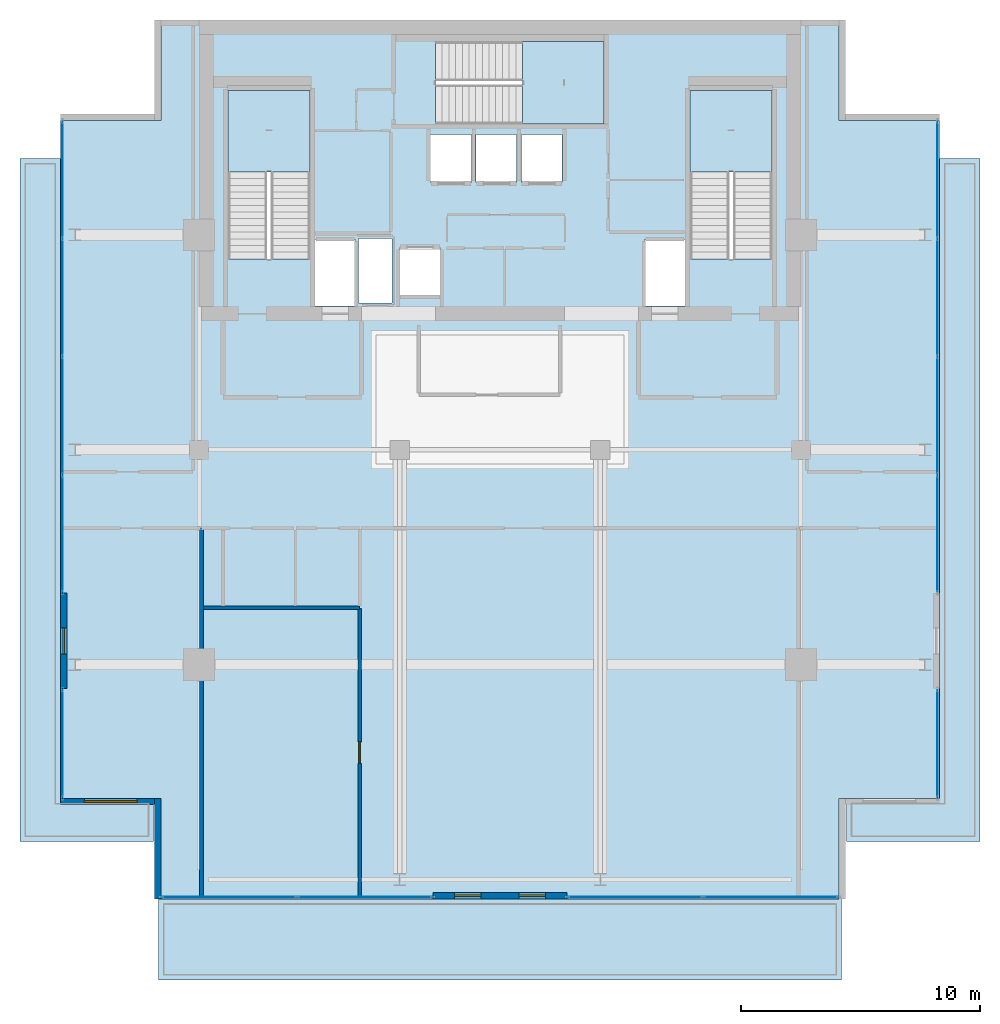
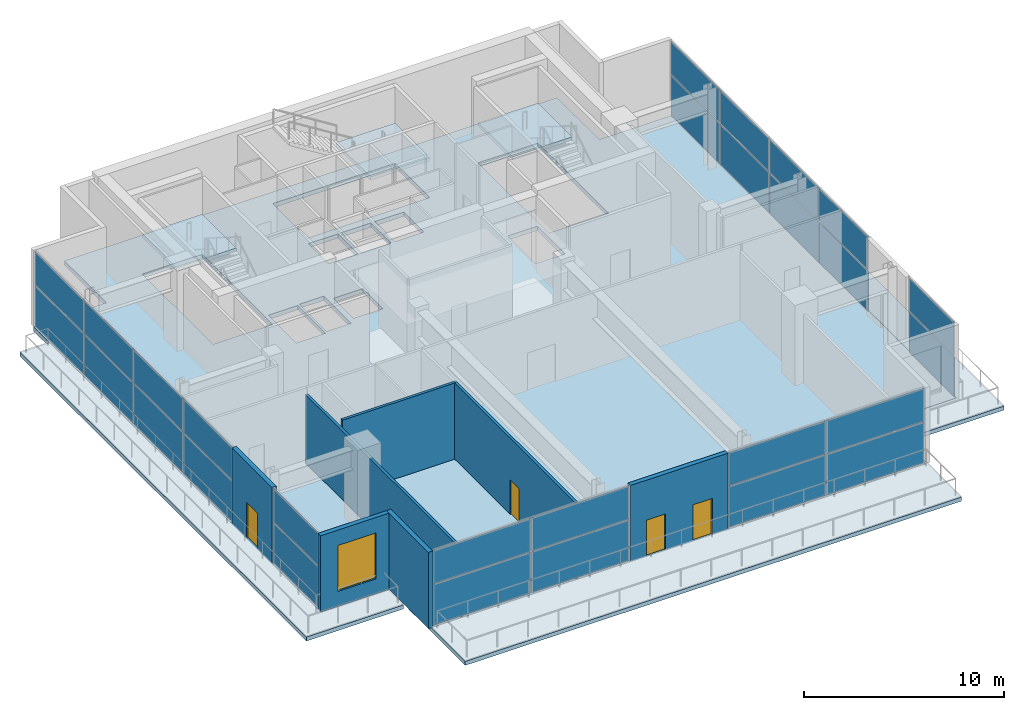
# One storey, part 15 of 22: 28 plates, 7 slabs, 7 walls, 4 doors, 1 window, 5 openings, 9 elements without a shape of their own.
"""IFC4 building model written with IfcOpenShell, lengths in metres."""

from ifc_helpers import new_model, si_unit, direction, frame, frame_2d, origin, origin_2d, place, context, subcontext, project, spatial, polyline, rectangle, outline, extrude, material, layer, layer_set, type_object, element, fill, aggregate, save


model = new_model("IFC4")

# Units and contexts
model_context = context("Model", 3, precision=1e-05, world=origin(), true_north=direction((0.0, 1.0)))
body_context = subcontext(model_context, "Body", "Model", "MODEL_VIEW")
ifc_project = project(units=[si_unit("LENGTHUNIT", "METRE"), si_unit("AREAUNIT", "SQUARE_METRE"), si_unit("VOLUMEUNIT", "CUBIC_METRE"), si_unit("PLANEANGLEUNIT", "RADIAN"), si_unit("MASSUNIT", "GRAM", prefix="KILO")], contexts=[model_context])

# Site, building, storey
site_placement = place(None, origin())
site = spatial("IfcSite", under=ifc_project, at=site_placement, CompositionType="ELEMENT")
building_placement = place(site_placement, origin())
building = spatial("IfcBuilding", under=site, at=building_placement, Name="Maruvema Waterfront Hotel and Observation Tower", CompositionType="ELEMENT")
storey_placement = place(building_placement, frame((0.0, 0.0, 354.199951171875)))
storey = spatial("IfcBuildingStorey", under=building, at=storey_placement, Name="L87", CompositionType="ELEMENT", Elevation=354.199951171875)

# Slabs
ifc_material_1 = material(Name="Concrete C50/60", Category="concrete")
ifc_layer_1 = layer(ifc_material_1, 0.239990234375, Name="Outdoor Setback Terrace Deck Slab 240 mm")
ifc_layer_set_1 = layer_set([ifc_layer_1], Name="Concrete C50/60")
slab_type_1 = type_object("IfcSlabType", Name="Outdoor Setback Terrace Deck Slab 240 mm", PredefinedType="FLOOR", material=ifc_layer_set_1)
slab_1_placement = place(storey_placement, frame((0.0, 0.0, -0.239990234375)))
element("IfcSlab", 1, at=slab_1_placement, inside=storey, type_object=slab_type_1, Name="L87 Outdoor Setback Terrace Deck 1", PredefinedType="FLOOR", context=body_context, shape_type="SweptSolid", body=[
    extrude(outline(polyline([(17.699951171875, 48.199951171875), (19.39990234375, 48.199951171875), (19.39990234375, 21.39990234375), (23.300048828125, 21.39990234375), (23.300048828125, 19.60009765625), (17.699951171875, 19.60009765625), (17.699951171875, 48.199951171875)])), origin(), (0.0, 0.0, 1.0), 0.239990234375),
])
slab_2_placement = place(storey_placement, frame((0.0, 0.0, -0.239990234375)))
element("IfcSlab", 2, at=slab_2_placement, inside=storey, type_object=slab_type_1, Name="L87 Outdoor Setback Terrace Deck 2", PredefinedType="FLOOR", context=body_context, shape_type="SweptSolid", body=[
    extrude(outline(polyline([(52.10009765625, 13.800048828125), (23.5, 13.800048828125), (23.5, 19.449951171875), (23.60009765625, 19.449951171875), (23.60009765625, 17.199951171875), (52.0, 17.199951171875), (52.0, 19.449951171875), (52.10009765625, 19.449951171875), (52.10009765625, 13.800048828125)])), origin(), (0.0, 0.0, 1.0), 0.239990234375),
])
slab_3_placement = place(storey_placement, frame((0.0, 0.0, -0.239990234375)))
element("IfcSlab", 3, at=slab_3_placement, inside=storey, type_object=slab_type_1, Name="L87 Outdoor Setback Terrace Deck 3", PredefinedType="FLOOR", context=body_context, shape_type="SweptSolid", body=[
    extrude(outline(polyline([(52.300048828125, 19.60009765625), (52.300048828125, 21.39990234375), (56.199951171875, 21.39990234375), (56.199951171875, 48.199951171875), (57.89990234375, 48.199951171875), (57.89990234375, 19.60009765625), (52.300048828125, 19.60009765625)])), origin(), (0.0, 0.0, 1.0), 0.239990234375),
])
ifc_material_2 = material(Name="Concrete C50/60", Category="concrete")
ifc_layer_2 = layer(ifc_material_2, 0.260009765625, Name="Reinforced Concrete Floor Slab 260 mm")
ifc_layer_set_2 = layer_set([ifc_layer_2], Name="Concrete C50/60")
slab_type_2 = type_object("IfcSlabType", Name="Reinforced Concrete Floor Slab 260 mm", PredefinedType="FLOOR", material=ifc_layer_set_2)
slab_4_placement = place(storey_placement, frame((0.0, 0.0, -0.260009765625)))
element("IfcSlab", 4, at=slab_4_placement, inside=storey, type_object=slab_type_2, Name="L87 Structural Floor Slab", PredefinedType="FLOOR", context=body_context, shape_type="SweptSolid", body=[
    extrude(outline(polyline([(23.60009765625, 17.199951171875), (52.0, 17.199951171875), (52.0, 21.39990234375), (56.199951171875, 21.39990234375), (56.199951171875, 49.800048828125), (52.0, 49.800048828125), (52.0, 54.0), (23.60009765625, 54.0), (23.60009765625, 49.800048828125), (19.39990234375, 49.800048828125), (19.39990234375, 21.39990234375), (23.60009765625, 21.39990234375), (23.60009765625, 17.199951171875)]), holes=[polyline([(26.39990234375, 44.00048828125), (26.39990234375, 51.050048828125), (29.85009765625, 51.050048828125), (29.85009765625, 44.00048828125), (26.39990234375, 44.00048828125)]), polyline([(30.050048828125, 42.02001953125), (30.050048828125, 44.800048828125), (31.75, 44.800048828125), (31.75, 42.02001953125), (30.050048828125, 42.02001953125)]), polyline([(31.8798828125, 44.860107421875), (33.280029296875, 44.860107421875), (33.280029296875, 42.139892578125), (31.8798828125, 42.139892578125), (31.8798828125, 44.860107421875)]), polyline([(33.60009765625, 42.449951171875), (33.60009765625, 44.449951171875), (35.300048828125, 44.449951171875), (35.300048828125, 42.449951171875), (33.60009765625, 42.449951171875)]), polyline([(34.89990234375, 47.199951171875), (34.89990234375, 49.199951171875), (36.60009765625, 49.199951171875), (36.60009765625, 47.199951171875), (34.89990234375, 47.199951171875)]), polyline([(36.800048828125, 47.199951171875), (36.800048828125, 49.199951171875), (38.5, 49.199951171875), (38.5, 47.199951171875), (36.800048828125, 47.199951171875)]), polyline([(35.1005859375, 53.10009765625), (42.14990234375, 53.10009765625), (42.14990234375, 49.64990234375), (35.1005859375, 49.64990234375), (35.1005859375, 53.10009765625)]), polyline([(38.699951171875, 49.199951171875), (40.39990234375, 49.199951171875), (40.39990234375, 47.199951171875), (38.699951171875, 47.199951171875), (38.699951171875, 49.199951171875)]), polyline([(43.85009765625, 42.02001953125), (43.85009765625, 44.800048828125), (45.550048828125, 44.800048828125), (45.550048828125, 42.02001953125), (43.85009765625, 42.02001953125)]), polyline([(49.199951171875, 44.00048828125), (45.75, 44.00048828125), (45.75, 51.050048828125), (49.199951171875, 51.050048828125), (49.199951171875, 44.00048828125)])]), origin(), (0.0, 0.0, 1.0), 0.260009765625),
])

# Curtain wall, plates
ifc_material_3 = material(Name="Anodised bronze aluminium and solar-control low-E IGU", Category="aluminium")
ifc_layer_3 = layer(ifc_material_3, 0.159912109375, Name="Observation Crown Structural Glazed Curtain Wall System CW-06")
ifc_layer_set_3 = layer_set([ifc_layer_3], Name="Anodised bronze aluminium and solar-control low-E IGU")
curtain_wall_type = type_object("IfcCurtainWallType", Name="Observation Crown Structural Glazed Curtain Wall System CW-06", PredefinedType="USERDEFINED", material=ifc_layer_set_3)
curtain_wall_1_placement = place(storey_placement, origin())
curtain_wall_1 = element("IfcCurtainWall", 5, at=curtain_wall_1_placement, inside=storey, type_object=curtain_wall_type, Name="L87 Curtain Wall CW-L87-SW", ObjectType="UNITISED CURTAIN WALL", PredefinedType="USERDEFINED")
ifc_material_4 = material(Name="Laminated low-E solar-control double glazing", Category="glass")
ifc_layer_4 = layer(ifc_material_4, 0.035888671875, Name="Solar Control Double-Glazed Curtain Panel 36 mm")
ifc_layer_set_4 = layer_set([ifc_layer_4], Name="Laminated low-E solar-control double glazing")
plate_type = type_object("IfcPlateType", Name="Solar Control Double-Glazed Curtain Panel 36 mm", PredefinedType="CURTAIN_PANEL", material=ifc_layer_set_4)
plate_1_placement = place(storey_placement, frame((26.465087890625, 17.280029296875, 0.06005859375), z_axis=(0.0, 0.0, 1.0), x_axis=(1.0, 0.0, 0.0)))
plate_1 = element("IfcPlate", 6, at=plate_1_placement, type_object=plate_type, Name="CW-06 panel 1.1", PredefinedType="CURTAIN_PANEL", context=body_context, shape_type="SweptSolid", body=[
    extrude(rectangle(XDim=5.610107421875, YDim=0.028076171875, at=origin_2d()), origin(), (0.0, 0.0, 1.0), 2.4599609375),
])
plate_2_placement = place(storey_placement, frame((26.465087890625, 17.280029296875, 2.580078125), z_axis=(0.0, 0.0, 1.0), x_axis=(1.0, 0.0, 0.0)))
plate_2 = element("IfcPlate", 7, at=plate_2_placement, type_object=plate_type, Name="CW-06 panel 1.2", PredefinedType="CURTAIN_PANEL", context=body_context, shape_type="SweptSolid", body=[
    extrude(rectangle(XDim=5.610107421875, YDim=0.028076171875, at=origin_2d()), origin(), (0.0, 0.0, 1.0), 2.0),
])
plate_3_placement = place(storey_placement, frame((32.135009765625, 17.280029296875, 0.06005859375), z_axis=(0.0, 0.0, 1.0), x_axis=(1.0, 0.0, 0.0)))
plate_3 = element("IfcPlate", 8, at=plate_3_placement, type_object=plate_type, Name="CW-06 panel 2.1", PredefinedType="CURTAIN_PANEL", context=body_context, shape_type="SweptSolid", body=[
    extrude(rectangle(XDim=5.610107421875, YDim=0.028076171875, at=origin_2d()), origin(), (0.0, 0.0, 1.0), 2.4599609375),
])
plate_4_placement = place(storey_placement, frame((32.135009765625, 17.280029296875, 2.580078125), z_axis=(0.0, 0.0, 1.0), x_axis=(1.0, 0.0, 0.0)))
plate_4 = element("IfcPlate", 9, at=plate_4_placement, type_object=plate_type, Name="CW-06 panel 2.2", PredefinedType="CURTAIN_PANEL", context=body_context, shape_type="SweptSolid", body=[
    extrude(rectangle(XDim=5.610107421875, YDim=0.028076171875, at=origin_2d()), origin(), (0.0, 0.0, 1.0), 2.0),
])
aggregate(curtain_wall_1, [plate_1, plate_2, plate_3, plate_4])

curtain_wall_2_placement = place(storey_placement, origin())
curtain_wall_2 = element("IfcCurtainWall", 10, at=curtain_wall_2_placement, inside=storey, type_object=curtain_wall_type, Name="L87 Curtain Wall CW-L87-SE", ObjectType="UNITISED CURTAIN WALL", PredefinedType="USERDEFINED")
plate_5_placement = place(storey_placement, frame((43.465087890625, 17.280029296875, 0.06005859375), z_axis=(0.0, 0.0, 1.0), x_axis=(1.0, 0.0, 0.0)))
plate_5 = element("IfcPlate", 11, at=plate_5_placement, type_object=plate_type, Name="CW-06 panel 1.1", PredefinedType="CURTAIN_PANEL", context=body_context, shape_type="SweptSolid", body=[
    extrude(rectangle(XDim=5.610107421875, YDim=0.028076171875, at=origin_2d()), origin(), (0.0, 0.0, 1.0), 2.4599609375),
])
plate_6_placement = place(storey_placement, frame((43.465087890625, 17.280029296875, 2.580078125), z_axis=(0.0, 0.0, 1.0), x_axis=(1.0, 0.0, 0.0)))
plate_6 = element("IfcPlate", 12, at=plate_6_placement, type_object=plate_type, Name="CW-06 panel 1.2", PredefinedType="CURTAIN_PANEL", context=body_context, shape_type="SweptSolid", body=[
    extrude(rectangle(XDim=5.610107421875, YDim=0.028076171875, at=origin_2d()), origin(), (0.0, 0.0, 1.0), 2.0),
])
plate_7_placement = place(storey_placement, frame((49.135009765625, 17.280029296875, 0.06005859375), z_axis=(0.0, 0.0, 1.0), x_axis=(1.0, 0.0, 0.0)))
plate_7 = element("IfcPlate", 13, at=plate_7_placement, type_object=plate_type, Name="CW-06 panel 2.1", PredefinedType="CURTAIN_PANEL", context=body_context, shape_type="SweptSolid", body=[
    extrude(rectangle(XDim=5.610107421875, YDim=0.028076171875, at=origin_2d()), origin(), (0.0, 0.0, 1.0), 2.4599609375),
])
plate_8_placement = place(storey_placement, frame((49.135009765625, 17.280029296875, 2.580078125), z_axis=(0.0, 0.0, 1.0), x_axis=(1.0, 0.0, 0.0)))
plate_8 = element("IfcPlate", 14, at=plate_8_placement, type_object=plate_type, Name="CW-06 panel 2.2", PredefinedType="CURTAIN_PANEL", context=body_context, shape_type="SweptSolid", body=[
    extrude(rectangle(XDim=5.610107421875, YDim=0.028076171875, at=origin_2d()), origin(), (0.0, 0.0, 1.0), 2.0),
])
aggregate(curtain_wall_2, [plate_5, plate_6, plate_7, plate_8])

curtain_wall_3_placement = place(storey_placement, origin())
curtain_wall_3 = element("IfcCurtainWall", 15, at=curtain_wall_3_placement, inside=storey, type_object=curtain_wall_type, Name="L87 Curtain Wall CW-L87-WS", ObjectType="UNITISED CURTAIN WALL", PredefinedType="USERDEFINED")
plate_9_placement = place(storey_placement, frame((19.47998046875, 23.699951171875, 0.06005859375), z_axis=(0.0, 0.0, 1.0), x_axis=(0.0, -1.0, 0.0)))
plate_9 = element("IfcPlate", 16, at=plate_9_placement, type_object=plate_type, Name="CW-06 panel 1.1", PredefinedType="CURTAIN_PANEL", context=body_context, shape_type="SweptSolid", body=[
    extrude(rectangle(XDim=4.47998046875, YDim=0.028076171875, at=origin_2d()), origin(), (0.0, 0.0, 1.0), 2.4599609375),
])
plate_10_placement = place(storey_placement, frame((19.47998046875, 23.699951171875, 2.580078125), z_axis=(0.0, 0.0, 1.0), x_axis=(0.0, -1.0, 0.0)))
plate_10 = element("IfcPlate", 17, at=plate_10_placement, type_object=plate_type, Name="CW-06 panel 1.2", PredefinedType="CURTAIN_PANEL", context=body_context, shape_type="SweptSolid", body=[
    extrude(rectangle(XDim=4.47998046875, YDim=0.028076171875, at=origin_2d()), origin(), (0.0, 0.0, 1.0), 2.0),
])
aggregate(curtain_wall_3, [plate_9, plate_10])

curtain_wall_4_placement = place(storey_placement, origin())
curtain_wall_4 = element("IfcCurtainWall", 18, at=curtain_wall_4_placement, inside=storey, type_object=curtain_wall_type, Name="L87 Curtain Wall CW-L87-WN", ObjectType="UNITISED CURTAIN WALL", PredefinedType="USERDEFINED")
plate_11_placement = place(storey_placement, frame((19.47998046875, 47.31005859375, 0.06005859375), z_axis=(0.0, 0.0, 1.0), x_axis=(0.0, -1.0, 0.0)))
plate_11 = element("IfcPlate", 19, at=plate_11_placement, type_object=plate_type, Name="CW-06 panel 1.1", PredefinedType="CURTAIN_PANEL", context=body_context, shape_type="SweptSolid", body=[
    extrude(rectangle(XDim=4.860107421875, YDim=0.028076171875, at=origin_2d()), origin(), (0.0, 0.0, 1.0), 2.4599609375),
])
plate_12_placement = place(storey_placement, frame((19.47998046875, 47.31005859375, 2.580078125), z_axis=(0.0, 0.0, 1.0), x_axis=(0.0, -1.0, 0.0)))
plate_12 = element("IfcPlate", 20, at=plate_12_placement, type_object=plate_type, Name="CW-06 panel 1.2", PredefinedType="CURTAIN_PANEL", context=body_context, shape_type="SweptSolid", body=[
    extrude(rectangle(XDim=4.860107421875, YDim=0.028076171875, at=origin_2d()), origin(), (0.0, 0.0, 1.0), 2.0),
])
plate_13_placement = place(storey_placement, frame((19.47998046875, 42.375, 0.06005859375), z_axis=(0.0, 0.0, 1.0), x_axis=(0.0, -1.0, 0.0)))
plate_13 = element("IfcPlate", 21, at=plate_13_placement, type_object=plate_type, Name="CW-06 panel 2.1", PredefinedType="CURTAIN_PANEL", context=body_context, shape_type="SweptSolid", body=[
    extrude(rectangle(XDim=4.889892578125, YDim=0.028076171875, at=origin_2d()), origin(), (0.0, 0.0, 1.0), 2.4599609375),
])
plate_14_placement = place(storey_placement, frame((19.47998046875, 42.375, 2.580078125), z_axis=(0.0, 0.0, 1.0), x_axis=(0.0, -1.0, 0.0)))
plate_14 = element("IfcPlate", 22, at=plate_14_placement, type_object=plate_type, Name="CW-06 panel 2.2", PredefinedType="CURTAIN_PANEL", context=body_context, shape_type="SweptSolid", body=[
    extrude(rectangle(XDim=4.889892578125, YDim=0.028076171875, at=origin_2d()), origin(), (0.0, 0.0, 1.0), 2.0),
])
plate_15_placement = place(storey_placement, frame((19.47998046875, 37.425048828125, 0.06005859375), z_axis=(0.0, 0.0, 1.0), x_axis=(0.0, -1.0, 0.0)))
plate_15 = element("IfcPlate", 23, at=plate_15_placement, type_object=plate_type, Name="CW-06 panel 3.1", PredefinedType="CURTAIN_PANEL", context=body_context, shape_type="SweptSolid", body=[
    extrude(rectangle(XDim=4.889892578125, YDim=0.028076171875, at=origin_2d()), origin(), (0.0, 0.0, 1.0), 2.4599609375),
])
plate_16_placement = place(storey_placement, frame((19.47998046875, 37.425048828125, 2.580078125), z_axis=(0.0, 0.0, 1.0), x_axis=(0.0, -1.0, 0.0)))
plate_16 = element("IfcPlate", 24, at=plate_16_placement, type_object=plate_type, Name="CW-06 panel 3.2", PredefinedType="CURTAIN_PANEL", context=body_context, shape_type="SweptSolid", body=[
    extrude(rectangle(XDim=4.889892578125, YDim=0.028076171875, at=origin_2d()), origin(), (0.0, 0.0, 1.0), 2.0),
])
plate_17_placement = place(storey_placement, frame((19.47998046875, 32.489990234375, 0.06005859375), z_axis=(0.0, 0.0, 1.0), x_axis=(0.0, -1.0, 0.0)))
plate_17 = element("IfcPlate", 25, at=plate_17_placement, type_object=plate_type, Name="CW-06 panel 4.1", PredefinedType="CURTAIN_PANEL", context=body_context, shape_type="SweptSolid", body=[
    extrude(rectangle(XDim=4.860107421875, YDim=0.028076171875, at=origin_2d()), origin(), (0.0, 0.0, 1.0), 2.4599609375),
])
plate_18_placement = place(storey_placement, frame((19.47998046875, 32.489990234375, 2.580078125), z_axis=(0.0, 0.0, 1.0), x_axis=(0.0, -1.0, 0.0)))
plate_18 = element("IfcPlate", 26, at=plate_18_placement, type_object=plate_type, Name="CW-06 panel 4.2", PredefinedType="CURTAIN_PANEL", context=body_context, shape_type="SweptSolid", body=[
    extrude(rectangle(XDim=4.860107421875, YDim=0.028076171875, at=origin_2d()), origin(), (0.0, 0.0, 1.0), 2.0),
])
aggregate(curtain_wall_4, [plate_11, plate_12, plate_13, plate_14, plate_15, plate_16, plate_17, plate_18])

curtain_wall_5_placement = place(storey_placement, origin())
curtain_wall_5 = element("IfcCurtainWall", 27, at=curtain_wall_5_placement, inside=storey, type_object=curtain_wall_type, Name="L87 Curtain Wall CW-L87-ES", ObjectType="UNITISED CURTAIN WALL", PredefinedType="USERDEFINED")
plate_19_placement = place(storey_placement, frame((56.1201171875, 23.699951171875, 0.06005859375), z_axis=(0.0, 0.0, 1.0), x_axis=(0.0, 1.0, 0.0)))
plate_19 = element("IfcPlate", 28, at=plate_19_placement, type_object=plate_type, Name="CW-06 panel 1.1", PredefinedType="CURTAIN_PANEL", context=body_context, shape_type="SweptSolid", body=[
    extrude(rectangle(XDim=4.47998046875, YDim=0.028076171875, at=origin_2d()), origin(), (0.0, 0.0, 1.0), 2.4599609375),
])
plate_20_placement = place(storey_placement, frame((56.1201171875, 23.699951171875, 2.580078125), z_axis=(0.0, 0.0, 1.0), x_axis=(0.0, 1.0, 0.0)))
plate_20 = element("IfcPlate", 29, at=plate_20_placement, type_object=plate_type, Name="CW-06 panel 1.2", PredefinedType="CURTAIN_PANEL", context=body_context, shape_type="SweptSolid", body=[
    extrude(rectangle(XDim=4.47998046875, YDim=0.028076171875, at=origin_2d()), origin(), (0.0, 0.0, 1.0), 2.0),
])
aggregate(curtain_wall_5, [plate_19, plate_20])

curtain_wall_6_placement = place(storey_placement, origin())
curtain_wall_6 = element("IfcCurtainWall", 30, at=curtain_wall_6_placement, inside=storey, type_object=curtain_wall_type, Name="L87 Curtain Wall CW-L87-EN", ObjectType="UNITISED CURTAIN WALL", PredefinedType="USERDEFINED")
plate_21_placement = place(storey_placement, frame((56.1201171875, 32.489990234375, 0.06005859375), z_axis=(0.0, 0.0, 1.0), x_axis=(0.0, 1.0, 0.0)))
plate_21 = element("IfcPlate", 31, at=plate_21_placement, type_object=plate_type, Name="CW-06 panel 1.1", PredefinedType="CURTAIN_PANEL", context=body_context, shape_type="SweptSolid", body=[
    extrude(rectangle(XDim=4.860107421875, YDim=0.028076171875, at=origin_2d()), origin(), (0.0, 0.0, 1.0), 2.4599609375),
])
plate_22_placement = place(storey_placement, frame((56.1201171875, 32.489990234375, 2.580078125), z_axis=(0.0, 0.0, 1.0), x_axis=(0.0, 1.0, 0.0)))
plate_22 = element("IfcPlate", 32, at=plate_22_placement, type_object=plate_type, Name="CW-06 panel 1.2", PredefinedType="CURTAIN_PANEL", context=body_context, shape_type="SweptSolid", body=[
    extrude(rectangle(XDim=4.860107421875, YDim=0.028076171875, at=origin_2d()), origin(), (0.0, 0.0, 1.0), 2.0),
])
plate_23_placement = place(storey_placement, frame((56.1201171875, 37.425048828125, 0.06005859375), z_axis=(0.0, 0.0, 1.0), x_axis=(0.0, 1.0, 0.0)))
plate_23 = element("IfcPlate", 33, at=plate_23_placement, type_object=plate_type, Name="CW-06 panel 2.1", PredefinedType="CURTAIN_PANEL", context=body_context, shape_type="SweptSolid", body=[
    extrude(rectangle(XDim=4.889892578125, YDim=0.028076171875, at=origin_2d()), origin(), (0.0, 0.0, 1.0), 2.4599609375),
])
plate_24_placement = place(storey_placement, frame((56.1201171875, 37.425048828125, 2.580078125), z_axis=(0.0, 0.0, 1.0), x_axis=(0.0, 1.0, 0.0)))
plate_24 = element("IfcPlate", 34, at=plate_24_placement, type_object=plate_type, Name="CW-06 panel 2.2", PredefinedType="CURTAIN_PANEL", context=body_context, shape_type="SweptSolid", body=[
    extrude(rectangle(XDim=4.889892578125, YDim=0.028076171875, at=origin_2d()), origin(), (0.0, 0.0, 1.0), 2.0),
])
plate_25_placement = place(storey_placement, frame((56.1201171875, 42.375, 0.06005859375), z_axis=(0.0, 0.0, 1.0), x_axis=(0.0, 1.0, 0.0)))
plate_25 = element("IfcPlate", 35, at=plate_25_placement, type_object=plate_type, Name="CW-06 panel 3.1", PredefinedType="CURTAIN_PANEL", context=body_context, shape_type="SweptSolid", body=[
    extrude(rectangle(XDim=4.889892578125, YDim=0.028076171875, at=origin_2d()), origin(), (0.0, 0.0, 1.0), 2.4599609375),
])
plate_26_placement = place(storey_placement, frame((56.1201171875, 42.375, 2.580078125), z_axis=(0.0, 0.0, 1.0), x_axis=(0.0, 1.0, 0.0)))
plate_26 = element("IfcPlate", 36, at=plate_26_placement, type_object=plate_type, Name="CW-06 panel 3.2", PredefinedType="CURTAIN_PANEL", context=body_context, shape_type="SweptSolid", body=[
    extrude(rectangle(XDim=4.889892578125, YDim=0.028076171875, at=origin_2d()), origin(), (0.0, 0.0, 1.0), 2.0),
])
plate_27_placement = place(storey_placement, frame((56.1201171875, 47.31005859375, 0.06005859375), z_axis=(0.0, 0.0, 1.0), x_axis=(0.0, 1.0, 0.0)))
plate_27 = element("IfcPlate", 37, at=plate_27_placement, type_object=plate_type, Name="CW-06 panel 4.1", PredefinedType="CURTAIN_PANEL", context=body_context, shape_type="SweptSolid", body=[
    extrude(rectangle(XDim=4.860107421875, YDim=0.028076171875, at=origin_2d()), origin(), (0.0, 0.0, 1.0), 2.4599609375),
])
plate_28_placement = place(storey_placement, frame((56.1201171875, 47.31005859375, 2.580078125), z_axis=(0.0, 0.0, 1.0), x_axis=(0.0, 1.0, 0.0)))
plate_28 = element("IfcPlate", 38, at=plate_28_placement, type_object=plate_type, Name="CW-06 panel 4.2", PredefinedType="CURTAIN_PANEL", context=body_context, shape_type="SweptSolid", body=[
    extrude(rectangle(XDim=4.860107421875, YDim=0.028076171875, at=origin_2d()), origin(), (0.0, 0.0, 1.0), 2.0),
])
aggregate(curtain_wall_6, [plate_21, plate_22, plate_23, plate_24, plate_25, plate_26, plate_27, plate_28])

# Stair, slab
ifc_material_5 = material(Name="Concrete C50/60", Category="concrete")
stair_type = type_object("IfcStairType", Name="Dogleg Exit Stair 1650 mm (28R x 175.0 mm)", PredefinedType="HALF_TURN_STAIR", material=ifc_material_5)
stair_1_placement = place(storey_placement, origin())
stair_1 = element("IfcStair", 39, at=stair_1_placement, inside=storey, type_object=stair_type, Name="L87 ST-01", PredefinedType="HALF_TURN_STAIR")
ifc_material_6 = material(Name="Concrete C50/60", Category="concrete")
ifc_layer_5 = layer(ifc_material_6, 0.219970703125, Name="Stair Concrete Landing Slab 220 mm")
ifc_layer_set_5 = layer_set([ifc_layer_5], Name="Concrete C50/60")
slab_type_3 = type_object("IfcSlabType", Name="Stair Concrete Landing Slab 220 mm", PredefinedType="LANDING", material=ifc_layer_set_5)
slab_5_placement = place(storey_placement, frame((0.0, 0.0, 2.22998046875)))
slab_5 = element("IfcSlab", 40, at=slab_5_placement, type_object=slab_type_3, Name="ST-01 landing 1", PredefinedType="LANDING", context=body_context, shape_type="SweptSolid", body=[
    extrude(outline(polyline([(29.85009765625, 47.639892578125), (29.85009765625, 51.050048828125), (26.39990234375, 51.050048828125), (26.39990234375, 47.639892578125), (29.85009765625, 47.639892578125)])), origin(), (0.0, 0.0, 1.0), 0.219970703125),
])
aggregate(stair_1, [slab_5])

stair_2_placement = place(storey_placement, origin())
stair_2 = element("IfcStair", 41, at=stair_2_placement, inside=storey, type_object=stair_type, Name="L87 ST-02", PredefinedType="HALF_TURN_STAIR")
slab_6_placement = place(storey_placement, frame((0.0, 0.0, 2.22998046875)))
slab_6 = element("IfcSlab", 42, at=slab_6_placement, type_object=slab_type_3, Name="ST-02 landing 1", PredefinedType="LANDING", context=body_context, shape_type="SweptSolid", body=[
    extrude(outline(polyline([(38.739990234375, 49.64990234375), (42.14990234375, 49.64990234375), (42.14990234375, 53.10009765625), (38.739990234375, 53.10009765625), (38.739990234375, 49.64990234375)])), origin(), (0.0, 0.0, 1.0), 0.219970703125),
])
aggregate(stair_2, [slab_6])

stair_3_placement = place(storey_placement, origin())
stair_3 = element("IfcStair", 43, at=stair_3_placement, inside=storey, type_object=stair_type, Name="L87 ST-03", PredefinedType="HALF_TURN_STAIR")
slab_7_placement = place(storey_placement, frame((0.0, 0.0, 2.22998046875)))
slab_7 = element("IfcSlab", 44, at=slab_7_placement, type_object=slab_type_3, Name="ST-03 landing 1", PredefinedType="LANDING", context=body_context, shape_type="SweptSolid", body=[
    extrude(outline(polyline([(49.199951171875, 47.639892578125), (49.199951171875, 51.050048828125), (45.75, 51.050048828125), (45.75, 47.639892578125), (49.199951171875, 47.639892578125)])), origin(), (0.0, 0.0, 1.0), 0.219970703125),
])
aggregate(stair_3, [slab_7])

# Wall
ifc_material_7 = material(Name="Twin-stud acoustic gypsum drywall", Category="gypsum")
ifc_layer_6 = layer(ifc_material_7, 0.14990234375, Name="Acoustic Corridor and Suite Demising Wall 150 mm")
ifc_layer_set_6 = layer_set([ifc_layer_6], Name="Twin-stud acoustic gypsum drywall")
wall_type_1 = type_object("IfcWallType", Name="Acoustic Corridor and Suite Demising Wall 150 mm", PredefinedType="PARTITIONING", material=ifc_layer_set_6)
wall_1_placement = place(storey_placement, frame((25.3798828125, 29.3798828125, 0.0), z_axis=(0.0, 0.0, 1.0), x_axis=(1.0, 0.0, 0.0)))
element("IfcWall", 45, at=wall_1_placement, inside=storey, type_object=wall_type_1, Name="L87 L87 WC South 030", PredefinedType="PARTITIONING", context=body_context, shape_type="SweptSolid", body=[
    extrude(rectangle(XDim=6.5400390625, YDim=0.14990234375, at=frame_2d((3.27001953125, 0.0))), origin(), (0.0, 0.0, 1.0), 4.64013671875),
])

# Wall, opening, door
wall_2_placement = place(storey_placement, frame((31.919921875, 17.280029296875, 0.0), z_axis=(0.0, 0.0, 1.0), x_axis=(0.0, 1.0, 0.0)))
wall_2 = element("IfcWall", 46, at=wall_2_placement, inside=storey, type_object=wall_type_1, Name="L87 L87 Alcove Split 035", PredefinedType="PARTITIONING", context=body_context, shape_type="SweptSolid", body=[
    extrude(rectangle(XDim=12.080078125, YDim=0.14990234375, at=frame_2d((6.0400390625, 0.0))), origin(), (0.0, 0.0, 1.0), 4.64013671875),
])
opening_1_placement = place(wall_2_placement, frame((5.590087890625, 0.0, 0.0)))
opening_1 = element("IfcOpeningElement", 47, at=opening_1_placement, cuts=wall_2, Name="Opening DR-090", PredefinedType="OPENING", context=body_context, shape_type="SweptSolid", body=[
    extrude(rectangle(XDim=0.89990234375, YDim=2.10009765625, at=frame_2d((0.449951171875, 1.050048828125))), frame((0.0, 0.0849609375, 0.0), z_axis=(0.0, -1.0, 0.0), x_axis=(1.0, 0.0, 0.0)), (0.0, 0.0, 1.0), 0.169921875),
])
ifc_material_8 = material(Name="Solid-core lacquered timber leaf", Category="wood")
door_type_1 = type_object("IfcDoorType", Name="Accessible Toilet and Room Door 900x2100 mm", OperationType="NOTDEFINED", PredefinedType="DOOR", material=ifc_material_8)
door_1_placement = place(opening_1_placement, origin())
door_1 = element("IfcDoor", 48, at=door_1_placement, inside=storey, type_object=door_type_1, Name="L87 Viewing Alcove Door", OperationType="SINGLE_SWING_LEFT", OverallHeight=2.10009765625, OverallWidth=0.89990234375, PredefinedType="DOOR", context=body_context, shape_type="SweptSolid", body=[
    extrude(rectangle(XDim=0.89990234375, YDim=2.10009765625, at=frame_2d((0.449951171875, 1.050048828125))), frame((0.0, 0.02490234375, 0.0), z_axis=(0.0, -1.0, 0.0), x_axis=(1.0, 0.0, 0.0)), (0.0, 0.0, 1.0), 0.050048828125),
])
fill(opening_1, door_1)

# Walls
wall_3_placement = place(storey_placement, frame((25.300048828125, 17.280029296875, 0.0), z_axis=(0.0, 0.0, 1.0), x_axis=(0.0, 1.0, 0.0)))
element("IfcWall", 49, at=wall_3_placement, inside=storey, type_object=wall_type_1, Name="L87 L87 West Spine 036", PredefinedType="PARTITIONING", context=body_context, shape_type="SweptSolid", body=[
    extrude(rectangle(XDim=15.43994140625, YDim=0.14990234375, at=frame_2d((7.719970703125, 0.0))), origin(), (0.0, 0.0, 1.0), 4.177001953125),
])
ifc_material_9 = material(Name="Precast concrete C45/55 with honed Pernambuco granite facing", Category="masonry")
ifc_layer_7 = layer(ifc_material_9, 0.260009765625, Name="Exterior Granite Clad Spandrel and Pier Wall 260 mm")
ifc_layer_set_7 = layer_set([ifc_layer_7], Name="Precast concrete C45/55 with honed Pernambuco granite facing")
wall_type_2 = type_object("IfcWallType", Name="Exterior Granite Clad Spandrel and Pier Wall 260 mm", PredefinedType="SOLIDWALL", material=ifc_layer_set_7)
wall_4_placement = place(storey_placement, frame((23.469970703125, 17.199951171875, 0.0), z_axis=(0.0, 0.0, 1.0), x_axis=(0.0, 1.0, 0.0)))
element("IfcWall", 50, at=wall_4_placement, inside=storey, type_object=wall_type_2, Name="L87 Corner Notch Granite Pier Wall SW1", PredefinedType="SOLIDWALL", context=body_context, shape_type="SweptSolid", body=[
    extrude(rectangle(XDim=4.199951171875, YDim=0.260009765625, at=frame_2d((2.10009765625, 0.0))), origin(), (0.0, 0.0, 1.0), 4.64013671875),
])

# Wall, opening, window
wall_5_placement = place(storey_placement, frame((23.60009765625, 21.27001953125, 0.0), z_axis=(0.0, 0.0, 1.0), x_axis=(-1.0, 0.0, 0.0)))
wall_5 = element("IfcWall", 51, at=wall_5_placement, inside=storey, type_object=wall_type_2, Name="L87 Corner Notch Granite Pier Wall SW2", PredefinedType="SOLIDWALL", context=body_context, shape_type="SweptSolid", body=[
    extrude(rectangle(XDim=4.2001953125, YDim=0.260009765625, at=frame_2d((2.10009765625, 0.0))), origin(), (0.0, 0.0, 1.0), 4.64013671875),
])
opening_2_placement = place(wall_5_placement, frame((1.0, 0.0, 0.89990234375)))
opening_2 = element("IfcOpeningElement", 52, at=opening_2_placement, cuts=wall_5, Name="Opening WN-05", PredefinedType="OPENING", context=body_context, shape_type="SweptSolid", body=[
    extrude(rectangle(XDim=2.199951171875, YDim=2.800048828125, at=frame_2d((1.10009765625, 1.39990234375))), frame((0.0, 0.14013671875, 0.0), z_axis=(0.0, -1.0, 0.0), x_axis=(1.0, 0.0, 0.0)), (0.0, 0.0, 1.0), 0.280029296875),
])
ifc_material_10 = material(Name="Anodised bronze aluminium frame with laminated low-E glass", Category="aluminium")
window_type = type_object("IfcWindowType", Name="Crown Gallery Observation Window 2200x2800 mm", PartitioningType="SINGLE_PANEL", PredefinedType="WINDOW", material=ifc_material_10)
window_placement = place(opening_2_placement, origin())
window = element("IfcWindow", 53, at=window_placement, inside=storey, type_object=window_type, Name="L87 Corner Notch Punched Window SW2", OverallHeight=2.800048828125, OverallWidth=2.199951171875, PartitioningType="SINGLE_PANEL", PredefinedType="WINDOW", context=body_context, shape_type="SweptSolid", body=[
    extrude(rectangle(XDim=2.199951171875, YDim=2.800048828125, at=frame_2d((1.10009765625, 1.39990234375))), frame((0.0, 0.030029296875, 0.0), z_axis=(0.0, -1.0, 0.0), x_axis=(1.0, 0.0, 0.0)), (0.0, 0.0, 1.0), 0.06005859375),
])
fill(opening_2, window)

# Wall, openings, doors
wall_6_placement = place(storey_placement, frame((40.60009765625, 17.330078125, 0.0), z_axis=(0.0, 0.0, 1.0), x_axis=(-1.0, 0.0, 0.0)))
wall_6 = element("IfcWall", 54, at=wall_6_placement, inside=storey, type_object=wall_type_2, Name="L87 South Terrace Access Portal Wall", PredefinedType="SOLIDWALL", context=body_context, shape_type="SweptSolid", body=[
    extrude(rectangle(XDim=5.60009765625, YDim=0.260009765625, at=frame_2d((2.800048828125, 0.0))), origin(), (0.0, 0.0, 1.0), 4.64013671875),
])
opening_3_placement = place(wall_6_placement, frame((0.89990234375, 0.0, 0.0)))
opening_3 = element("IfcOpeningElement", 55, at=opening_3_placement, cuts=wall_6, Name="Opening TD-01", PredefinedType="OPENING", context=body_context, shape_type="SweptSolid", body=[
    extrude(rectangle(XDim=1.10009765625, YDim=2.199951171875, at=frame_2d((0.550048828125, 1.10009765625))), frame((0.0, 0.14013671875, 0.0), z_axis=(0.0, -1.0, 0.0), x_axis=(1.0, 0.0, 0.0)), (0.0, 0.0, 1.0), 0.280029296875),
])
opening_4_placement = place(wall_6_placement, frame((3.60009765625, 0.0, 0.0)))
opening_4 = element("IfcOpeningElement", 56, at=opening_4_placement, cuts=wall_6, Name="Opening TD-01", PredefinedType="OPENING", context=body_context, shape_type="SweptSolid", body=[
    extrude(rectangle(XDim=1.10009765625, YDim=2.199951171875, at=frame_2d((0.550048828125, 1.10009765625))), frame((0.0, 0.14013671875, 0.0), z_axis=(0.0, -1.0, 0.0), x_axis=(1.0, 0.0, 0.0)), (0.0, 0.0, 1.0), 0.280029296875),
])
ifc_material_11 = material(Name="Anodised bronze aluminium and laminated safety glass", Category="aluminium")
door_type_2 = type_object("IfcDoorType", Name="Setback Terrace Weatherproof Glazed Door 1100x2200 mm", OperationType="NOTDEFINED", PredefinedType="DOOR", material=ifc_material_11)
door_2_placement = place(opening_3_placement, origin())
door_2 = element("IfcDoor", 57, at=door_2_placement, inside=storey, type_object=door_type_2, Name="L87 Setback Terrace Door East", OperationType="SINGLE_SWING_LEFT", OverallHeight=2.199951171875, OverallWidth=1.10009765625, PredefinedType="DOOR", context=body_context, shape_type="SweptSolid", body=[
    extrude(rectangle(XDim=1.10009765625, YDim=2.199951171875, at=frame_2d((0.550048828125, 1.10009765625))), frame((0.0, 0.02490234375, 0.0), z_axis=(0.0, -1.0, 0.0), x_axis=(1.0, 0.0, 0.0)), (0.0, 0.0, 1.0), 0.050048828125),
])
fill(opening_3, door_2)
door_3_placement = place(opening_4_placement, origin())
door_3 = element("IfcDoor", 58, at=door_3_placement, inside=storey, type_object=door_type_2, Name="L87 Setback Terrace Door West", OperationType="SINGLE_SWING_RIGHT", OverallHeight=2.199951171875, OverallWidth=1.10009765625, PredefinedType="DOOR", context=body_context, shape_type="SweptSolid", body=[
    extrude(rectangle(XDim=1.10009765625, YDim=2.199951171875, at=frame_2d((0.550048828125, 1.10009765625))), frame((0.0, 0.02490234375, 0.0), z_axis=(0.0, -1.0, 0.0), x_axis=(1.0, 0.0, 0.0)), (0.0, 0.0, 1.0), 0.050048828125),
])
fill(opening_4, door_3)

# Wall, opening, door
wall_7_placement = place(storey_placement, frame((19.530029296875, 26.0, 0.0), z_axis=(0.0, 0.0, 1.0), x_axis=(0.0, 1.0, 0.0)))
wall_7 = element("IfcWall", 59, at=wall_7_placement, inside=storey, type_object=wall_type_2, Name="L87 W Terrace Access Wall", PredefinedType="SOLIDWALL", context=body_context, shape_type="SweptSolid", body=[
    extrude(rectangle(XDim=4.0, YDim=0.260009765625, at=frame_2d((2.0, 0.0))), origin(), (0.0, 0.0, 1.0), 4.64013671875),
])
opening_5_placement = place(wall_7_placement, frame((1.449951171875, 0.0, 0.0)))
opening_5 = element("IfcOpeningElement", 60, at=opening_5_placement, cuts=wall_7, Name="Opening TD-01", PredefinedType="OPENING", context=body_context, shape_type="SweptSolid", body=[
    extrude(rectangle(XDim=1.10009765625, YDim=2.199951171875, at=frame_2d((0.550048828125, 1.10009765625))), frame((0.0, 0.14013671875, 0.0), z_axis=(0.0, -1.0, 0.0), x_axis=(1.0, 0.0, 0.0)), (0.0, 0.0, 1.0), 0.280029296875),
])
door_4_placement = place(opening_5_placement, origin())
door_4 = element("IfcDoor", 61, at=door_4_placement, inside=storey, type_object=door_type_2, Name="L87 W Terrace Access Door", OperationType="SINGLE_SWING_LEFT", OverallHeight=2.199951171875, OverallWidth=1.10009765625, PredefinedType="DOOR", context=body_context, shape_type="SweptSolid", body=[
    extrude(rectangle(XDim=1.10009765625, YDim=2.199951171875, at=frame_2d((0.550048828125, 1.10009765625))), frame((0.0, 0.02490234375, 0.0), z_axis=(0.0, -1.0, 0.0), x_axis=(1.0, 0.0, 0.0)), (0.0, 0.0, 1.0), 0.050048828125),
])
fill(opening_5, door_4)

save(model, "model.ifc")
